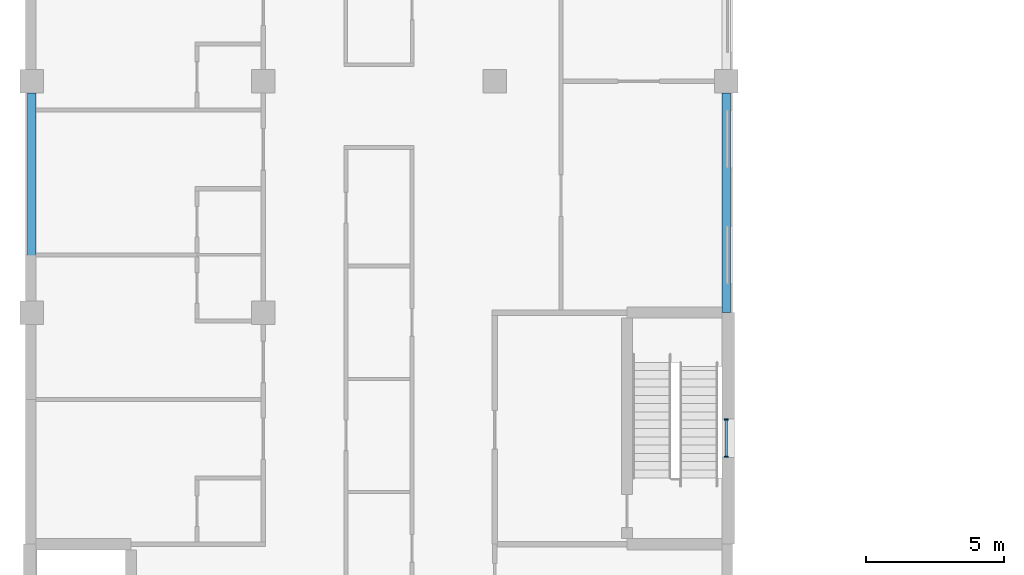
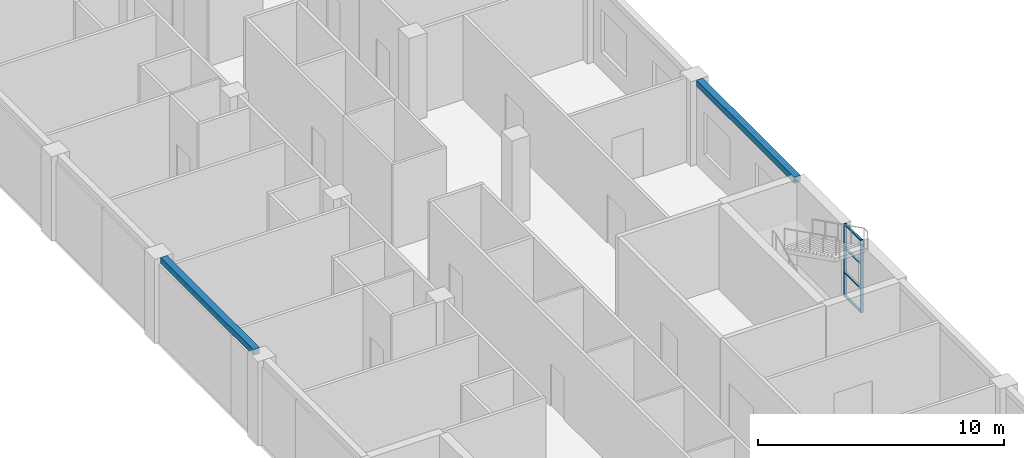
# One storey, part 16 of 66: 6 members, 2 beams, 1 element without a shape of its own.
"""IFC4 building model written with IfcOpenShell, lengths in metres."""

from ifc_helpers import new_model, si_unit, direction, frame, origin, origin_2d, place, context, subcontext, project, spatial, rectangle, extrude, material, material_profile, profile_set, type_object, element, aggregate, save


model = new_model("IFC4")

# Units and contexts
model_context = context("Model", 3, precision=1e-05, world=origin(), true_north=direction((0.0, 1.0)))
body_context = subcontext(model_context, "Body", "Model", "MODEL_VIEW")
ifc_project = project(units=[si_unit("LENGTHUNIT", "METRE"), si_unit("AREAUNIT", "SQUARE_METRE"), si_unit("VOLUMEUNIT", "CUBIC_METRE"), si_unit("PLANEANGLEUNIT", "RADIAN"), si_unit("MASSUNIT", "GRAM", prefix="KILO")], contexts=[model_context])

# Site, building, storey
site_placement = place(None, origin())
site = spatial("IfcSite", under=ifc_project, at=site_placement, CompositionType="ELEMENT")
building_placement = place(site_placement, origin())
building = spatial("IfcBuilding", under=site, at=building_placement, Name="Yavir Park General Hospital", CompositionType="ELEMENT")
storey_placement = place(building_placement, frame((0.0, 0.0, 8.39990234375)))
storey = spatial("IfcBuildingStorey", under=building, at=storey_placement, Name="L02", CompositionType="ELEMENT", Elevation=8.39990234375)

# Beams
ifc_material_1 = material(Name="Concrete C35/45", Category="concrete")
ifc_material_profile_1 = material_profile(ifc_material_1, rectangle(XDim=0.300048828125, YDim=0.300048828125, at=origin_2d()), Name="RC300x300")
ifc_profile_set_1 = profile_set([ifc_material_profile_1], Name="Concrete C35/45")
beam_type = type_object("IfcBeamType", Name="RC BEAM 300x300 edge beam", PredefinedType="BEAM", material=ifc_profile_set_1)
beam_1_placement = place(storey_placement, frame((0.0, 84.425048828125, 4.050048828125), z_axis=(0.0, 1.0, 0.0), x_axis=(-1.0, 0.0, 0.0)))
element("IfcBeam", 1, at=beam_1_placement, inside=storey, type_object=beam_type, Name="B:EDGE:L02:041", PredefinedType="BEAM", context=body_context, shape_type="SweptSolid", body=[
    extrude(rectangle(XDim=0.300048828125, YDim=0.300048828125, at=origin_2d()), origin(), (0.0, 0.0, 1.0), 7.550048828125),
])
beam_2_placement = place(storey_placement, frame((25.199951171875, 84.0, 4.050048828125), z_axis=(0.0, 1.0, 0.0), x_axis=(-1.0, 0.0, 0.0)))
element("IfcBeam", 2, at=beam_2_placement, inside=storey, type_object=beam_type, Name="B:EDGE:L02:049", PredefinedType="BEAM", context=body_context, shape_type="SweptSolid", body=[
    extrude(rectangle(XDim=0.300048828125, YDim=0.300048828125, at=origin_2d()), origin(), (0.0, 0.0, 1.0), 7.97509765625),
])

# Curtain wall, members
ifc_material_2 = material(Name="Aluminium curtain wall frame with insulated glazing", Category="aluminium")
curtain_wall_type = type_object("IfcCurtainWallType", Name="Stair light slot, podium, 3600 high, 1400 module", PredefinedType="NOTDEFINED", material=ifc_material_2)
curtain_wall_placement = place(storey_placement, origin())
curtain_wall = element("IfcCurtainWall", 3, at=curtain_wall_placement, inside=storey, type_object=curtain_wall_type, Name="CW57 L02-023", PredefinedType="NOTDEFINED")
ifc_material_3 = material(Name="Aluminium", Category="aluminium")
ifc_material_profile_2 = material_profile(ifc_material_3, rectangle(XDim=0.139892578125, YDim=0.050048828125, at=origin_2d()), Name="AL 50x140")
ifc_profile_set_2 = profile_set([ifc_material_profile_2], Name="Aluminium")
member_type_1 = type_object("IfcMemberType", Name="Stair light slot, podium, 3600 high mullion 50 x 140", PredefinedType="MULLION", material=ifc_profile_set_2)
member_1_placement = place(storey_placement, frame((25.199951171875, 78.77490234375, 0.60009765625), z_axis=(0.0, 0.0, 1.0), x_axis=(-1.0, 0.0, 0.0)))
member_1 = element("IfcMember", 4, at=member_1_placement, type_object=member_type_1, Name="CW57 mullion 1", PredefinedType="MULLION", context=body_context, shape_type="SweptSolid", body=[
    extrude(rectangle(XDim=0.139892578125, YDim=0.050048828125, at=origin_2d()), origin(), (0.0, 0.0, 1.0), 3.60009765625),
])
member_2_placement = place(storey_placement, frame((25.199951171875, 80.125, 0.60009765625), z_axis=(0.0, 0.0, 1.0), x_axis=(-1.0, 0.0, 0.0)))
member_2 = element("IfcMember", 5, at=member_2_placement, type_object=member_type_1, Name="CW57 mullion 2", PredefinedType="MULLION", context=body_context, shape_type="SweptSolid", body=[
    extrude(rectangle(XDim=0.139892578125, YDim=0.050048828125, at=origin_2d()), origin(), (0.0, 0.0, 1.0), 3.60009765625),
])
ifc_material_4 = material(Name="Aluminium", Category="aluminium")
ifc_material_profile_3 = material_profile(ifc_material_4, rectangle(XDim=0.10009765625, YDim=0.050048828125, at=origin_2d()), Name="AL 100x50")
ifc_profile_set_3 = profile_set([ifc_material_profile_3], Name="Aluminium")
member_type_2 = type_object("IfcMemberType", Name="Stair light slot, podium, 3600 high transom 50 x 100", PredefinedType="MULLION", material=ifc_profile_set_3)
member_3_placement = place(storey_placement, frame((25.199951171875, 78.800048828125, 0.625), z_axis=(0.0, 1.0, 0.0), x_axis=(-1.0, 0.0, 0.0)))
member_3 = element("IfcMember", 6, at=member_3_placement, type_object=member_type_2, Name="CW57 transom 1.1", PredefinedType="MULLION", context=body_context, shape_type="SweptSolid", body=[
    extrude(rectangle(XDim=0.10009765625, YDim=0.050048828125, at=origin_2d()), origin(), (0.0, 0.0, 1.0), 1.300048828125),
])
member_4_placement = place(storey_placement, frame((25.199951171875, 78.800048828125, 1.800048828125), z_axis=(0.0, 1.0, 0.0), x_axis=(-1.0, 0.0, 0.0)))
member_4 = element("IfcMember", 7, at=member_4_placement, type_object=member_type_2, Name="CW57 transom 1.2", PredefinedType="MULLION", context=body_context, shape_type="SweptSolid", body=[
    extrude(rectangle(XDim=0.10009765625, YDim=0.050048828125, at=origin_2d()), origin(), (0.0, 0.0, 1.0), 1.300048828125),
])
member_5_placement = place(storey_placement, frame((25.199951171875, 78.800048828125, 3.0), z_axis=(0.0, 1.0, 0.0), x_axis=(-1.0, 0.0, 0.0)))
member_5 = element("IfcMember", 8, at=member_5_placement, type_object=member_type_2, Name="CW57 transom 1.3", PredefinedType="MULLION", context=body_context, shape_type="SweptSolid", body=[
    extrude(rectangle(XDim=0.10009765625, YDim=0.050048828125, at=origin_2d()), origin(), (0.0, 0.0, 1.0), 1.300048828125),
])
member_6_placement = place(storey_placement, frame((25.199951171875, 78.800048828125, 4.175048828125), z_axis=(0.0, 1.0, 0.0), x_axis=(-1.0, 0.0, 0.0)))
member_6 = element("IfcMember", 9, at=member_6_placement, type_object=member_type_2, Name="CW57 transom 1.4", PredefinedType="MULLION", context=body_context, shape_type="SweptSolid", body=[
    extrude(rectangle(XDim=0.10009765625, YDim=0.050048828125, at=origin_2d()), origin(), (0.0, 0.0, 1.0), 1.300048828125),
])
aggregate(curtain_wall, [member_1, member_2, member_3, member_4, member_5, member_6])

save(model, "model.ifc")
